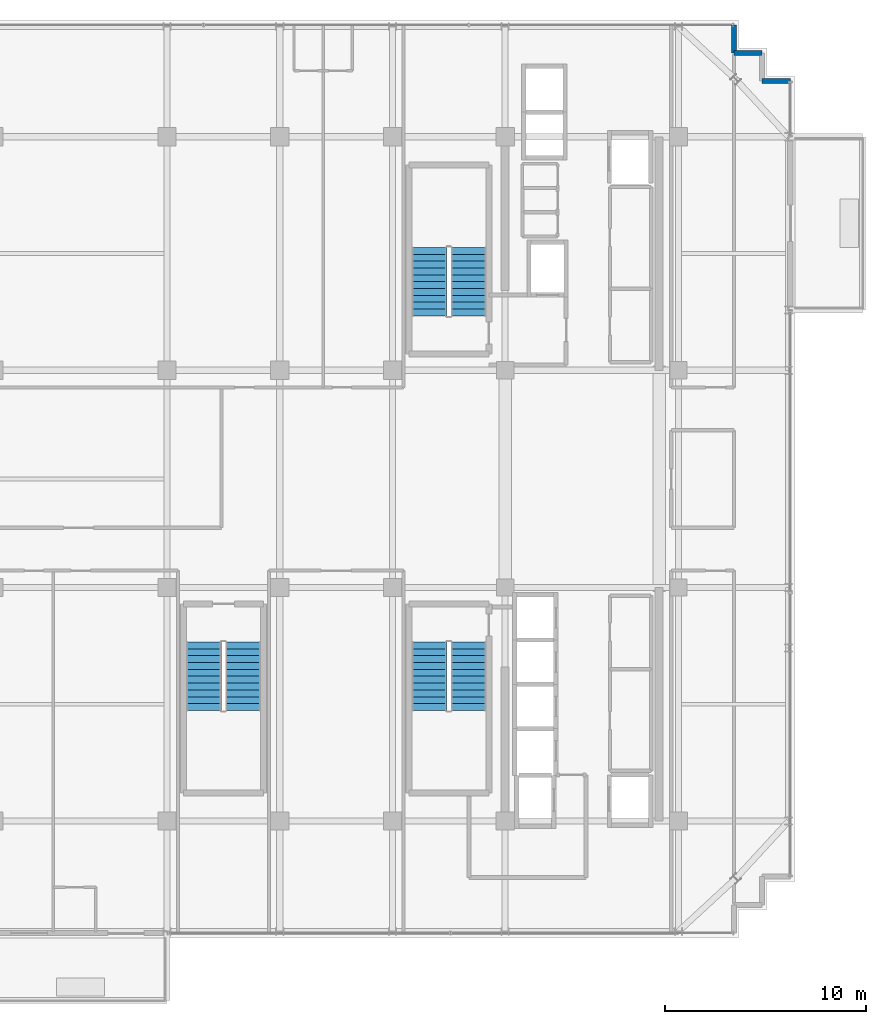
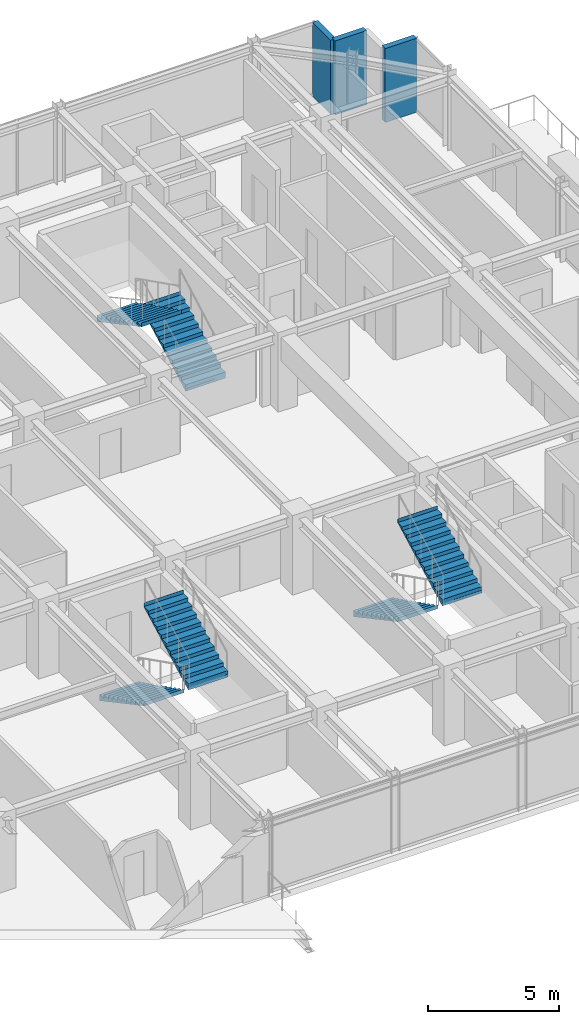
# One storey, part 30 of 33: 6 stair flights, 3 walls, 3 elements without a shape of their own.
"""IFC4 building model written with IfcOpenShell, lengths in metres."""

from ifc_helpers import new_model, si_unit, direction, frame, frame_2d, origin, place, context, subcontext, project, spatial, polyline, rectangle, outline, extrude, source, transform, mapped, material, layer, layer_set, type_object, element, aggregate, save


model = new_model("IFC4")

# Units and contexts
model_context = context("Model", 3, precision=1e-05, world=origin(), true_north=direction((0.0, 1.0)))
body_context = subcontext(model_context, "Body", "Model", "MODEL_VIEW")
ifc_project = project(units=[si_unit("LENGTHUNIT", "METRE"), si_unit("AREAUNIT", "SQUARE_METRE"), si_unit("VOLUMEUNIT", "CUBIC_METRE"), si_unit("PLANEANGLEUNIT", "RADIAN"), si_unit("MASSUNIT", "GRAM", prefix="KILO")], contexts=[model_context])

# Site, building, storey
site_placement = place(None, origin())
site = spatial("IfcSite", under=ifc_project, at=site_placement, CompositionType="ELEMENT")
building_placement = place(site_placement, origin())
building = spatial("IfcBuilding", under=site, at=building_placement, Name="Nahalor Promenade Grand Hotel", CompositionType="ELEMENT")
storey_placement = place(building_placement, frame((0.0, 0.0, 270.050048828125)))
storey = spatial("IfcBuildingStorey", under=building, at=storey_placement, Name="L69", CompositionType="ELEMENT", Elevation=270.050048828125)

# Walls
ifc_material_1 = material(Name="Concrete B-40 (C32/40)", Category="concrete")
ifc_layer_1 = layer(ifc_material_1, 0.25)
ifc_layer_set_1 = layer_set([ifc_layer_1], Name="Concrete B-40 (C32/40)")
wall_type = type_object("IfcWallType", Name="Wall-BronzePier-250", PredefinedType="STANDARD", material=ifc_layer_set_1)
shared_shape_1 = source(origin(), body_context, "Body", "SweptSolid", [
    extrude(rectangle(XDim=1.400146484375, YDim=0.25, at=frame_2d((0.7001953125, 0.0))), origin(), (0.0, 0.0, 1.0), 3.449951171875),
])
for number, where, z_axis, x_axis, name in (
    (1, (21.159912109375, 19.760009765625, 0.0), (0.0, 0.0, 1.0), (1.0, 0.0, 0.0), "W-L69-SR-05"),
    (2, (19.760009765625, 21.159912109375, 0.0), (0.0, 0.0, 1.0), (0.0, 1.0, 0.0), "W-L69-SR-08"),
):
    element("IfcWall", number, at=place(storey_placement, frame(where, z_axis=z_axis, x_axis=x_axis)), inside=storey, type_object=wall_type, Name=name, PredefinedType="STANDARD", context=body_context, shape_type="MappedRepresentation", body=[
        mapped(shared_shape_1, transform((0.0, 0.0, 0.0), scale=1.0)),
    ])
shared_shape_2 = source(origin(), body_context, "Body", "SweptSolid", [
    extrude(rectangle(XDim=1.39990234375, YDim=0.25, at=frame_2d((0.699951171875, 0.0))), origin(), (0.0, 0.0, 1.0), 3.449951171875),
])
wall_placement = place(storey_placement, frame((19.760009765625, 21.159912109375, 0.0), z_axis=(0.0, 0.0, 1.0), x_axis=(1.0, 0.0, 0.0)))
element("IfcWall", 3, at=wall_placement, inside=storey, type_object=wall_type, Name="W-L69-SR-07", PredefinedType="STANDARD", context=body_context, shape_type="MappedRepresentation", body=[
    mapped(shared_shape_2, transform((0.0, 0.0, 0.0), scale=1.0)),
])

# Stair, stair flights
ifc_material_2 = material(Name="Concrete B-50 (C40/50)", Category="concrete")
stair_type_1 = type_object("IfcStairType", Name="Stair-ST1", PredefinedType="HALF_TURN_STAIR", material=ifc_material_2)
stair_1_placement = place(storey_placement, origin())
stair_1 = element("IfcStair", 4, at=stair_1_placement, inside=storey, type_object=stair_type_1, Name="L69 ST1", PredefinedType="HALF_TURN_STAIR")
ifc_layer_2 = layer(ifc_material_2, 0.179931640625)
ifc_layer_set_2 = layer_set([ifc_layer_2], Name="Concrete B-50 (C40/50)")
stair_flight_type_1 = type_object("IfcStairFlightType", Name="Flight-ST1", PredefinedType="STRAIGHT", material=ifc_layer_set_2)
shared_shape_3 = source(origin(), body_context, "Body", "SweptSolid", [
    extrude(outline(polyline([(-0.00390625, -0.1201171875), (-0.00390625, 0.0), (0.0, 0.0), (0.0, 0.17041015625), (0.340087890625, 0.17041015625), (0.340087890625, 0.3408203125), (0.679931640625, 0.3408203125), (0.679931640625, 0.511474609375), (1.02001953125, 0.511474609375), (1.02001953125, 0.681884765625), (1.360107421875, 0.681884765625), (1.360107421875, 0.852294921875), (1.699951171875, 0.852294921875), (1.699951171875, 1.022705078125), (2.0400390625, 1.022705078125), (2.0400390625, 1.193115234375), (2.3798828125, 1.193115234375), (2.3798828125, 1.363525390625), (2.719970703125, 1.363525390625), (2.719970703125, 1.5341796875), (3.06005859375, 1.5341796875), (3.06005859375, 1.70458984375), (3.39990234375, 1.70458984375), (3.39990234375, 1.875), (3.404052734375, 1.875), (3.404052734375, 1.695068359375), (0.02001953125, -0.1201171875), (-0.00390625, -0.1201171875)])), frame((0.0, 0.875, 0.0), z_axis=(0.0, -1.0, 0.0), x_axis=(1.0, 0.0, 0.0)), (0.0, 0.0, 1.0), 1.75),
])
stair_flight_1_placement = place(storey_placement, frame((6.574951171875, 8.10009765625, 0.0), z_axis=(0.0, 0.0, 1.0), x_axis=(0.0, 1.0, 0.0)))
stair_flight_1 = element("IfcStairFlight", 5, at=stair_flight_1_placement, type_object=stair_flight_type_1, Name="ST1 flight 1", NumberOfRisers=11, NumberOfTreads=10, PredefinedType="STRAIGHT", RiserHeight=0.170454545, TreadLength=0.34, context=body_context, shape_type="MappedRepresentation", body=[
    mapped(shared_shape_3, transform((0.0, 0.0, 0.0), scale=1.0)),
])
stair_flight_2_placement = place(storey_placement, frame((4.625, 11.5, 1.875), z_axis=(0.0, 0.0, 1.0), x_axis=(0.0, -1.0, 0.0)))
stair_flight_2 = element("IfcStairFlight", 6, at=stair_flight_2_placement, type_object=stair_flight_type_1, Name="ST1 flight 2", NumberOfRisers=11, NumberOfTreads=10, PredefinedType="STRAIGHT", RiserHeight=0.170454545, TreadLength=0.34, context=body_context, shape_type="MappedRepresentation", body=[
    mapped(shared_shape_3, transform((0.0, 0.0, 0.0), scale=1.0)),
])
aggregate(stair_1, [stair_flight_1, stair_flight_2])

stair_type_2 = type_object("IfcStairType", Name="Stair-ST2", PredefinedType="HALF_TURN_STAIR", material=ifc_material_2)
stair_2_placement = place(storey_placement, origin())
stair_2 = element("IfcStair", 7, at=stair_2_placement, inside=storey, type_object=stair_type_2, Name="L69 ST2", PredefinedType="HALF_TURN_STAIR")
ifc_layer_3 = layer(ifc_material_2, 0.18994140625)
ifc_layer_set_3 = layer_set([ifc_layer_3], Name="Concrete B-50 (C40/50)")
stair_flight_type_2 = type_object("IfcStairFlightType", Name="Flight-ST2", PredefinedType="STRAIGHT", material=ifc_layer_set_3)
shared_shape_4 = source(origin(), body_context, "Body", "SweptSolid", [
    extrude(outline(polyline([(-0.00390625, -0.1201171875), (-0.00390625, 0.0), (0.0, 0.0), (0.0, 0.17041015625), (0.340087890625, 0.17041015625), (0.340087890625, 0.3408203125), (0.679931640625, 0.3408203125), (0.679931640625, 0.511474609375), (1.02001953125, 0.511474609375), (1.02001953125, 0.681884765625), (1.360107421875, 0.681884765625), (1.360107421875, 0.852294921875), (1.699951171875, 0.852294921875), (1.699951171875, 1.022705078125), (2.0400390625, 1.022705078125), (2.0400390625, 1.193115234375), (2.3798828125, 1.193115234375), (2.3798828125, 1.363525390625), (2.719970703125, 1.363525390625), (2.719970703125, 1.5341796875), (3.06005859375, 1.5341796875), (3.06005859375, 1.70458984375), (3.39990234375, 1.70458984375), (3.39990234375, 1.875), (3.404052734375, 1.875), (3.404052734375, 1.695068359375), (0.02001953125, -0.1201171875), (-0.00390625, -0.1201171875)])), frame((0.0, 0.875, 0.0), z_axis=(0.0, -1.0, 0.0), x_axis=(1.0, 0.0, 0.0)), (0.0, 0.0, 1.0), 1.75),
])
stair_flight_3_placement = place(storey_placement, frame((4.625, -8.10009765625, 0.0), z_axis=(0.0, 0.0, 1.0), x_axis=(0.0, -1.0, 0.0)))
stair_flight_3 = element("IfcStairFlight", 8, at=stair_flight_3_placement, type_object=stair_flight_type_2, Name="ST2 flight 1", NumberOfRisers=11, NumberOfTreads=10, PredefinedType="STRAIGHT", RiserHeight=0.170454545, TreadLength=0.34, context=body_context, shape_type="MappedRepresentation", body=[
    mapped(shared_shape_4, transform((0.0, 0.0, 0.0), scale=1.0)),
])
stair_flight_4_placement = place(storey_placement, frame((6.574951171875, -11.5, 1.875), z_axis=(0.0, 0.0, 1.0), x_axis=(0.0, 1.0, 0.0)))
stair_flight_4 = element("IfcStairFlight", 9, at=stair_flight_4_placement, type_object=stair_flight_type_2, Name="ST2 flight 2", NumberOfRisers=11, NumberOfTreads=10, PredefinedType="STRAIGHT", RiserHeight=0.170454545, TreadLength=0.34, context=body_context, shape_type="MappedRepresentation", body=[
    mapped(shared_shape_4, transform((0.0, 0.0, 0.0), scale=1.0)),
])
aggregate(stair_2, [stair_flight_3, stair_flight_4])

stair_type_3 = type_object("IfcStairType", Name="Stair-ST3", PredefinedType="HALF_TURN_STAIR", material=ifc_material_2)
stair_3_placement = place(storey_placement, origin())
stair_3 = element("IfcStair", 10, at=stair_3_placement, inside=storey, type_object=stair_type_3, Name="L69 ST3", PredefinedType="HALF_TURN_STAIR")
ifc_layer_4 = layer(ifc_material_2, 0.199951171875)
ifc_layer_set_4 = layer_set([ifc_layer_4], Name="Concrete B-50 (C40/50)")
stair_flight_type_3 = type_object("IfcStairFlightType", Name="Flight-ST3", PredefinedType="STRAIGHT", material=ifc_layer_set_4)
shared_shape_5 = source(origin(), body_context, "Body", "SweptSolid", [
    extrude(outline(polyline([(-0.00390625, -0.1201171875), (-0.00390625, 0.0), (0.0, 0.0), (0.0, 0.17041015625), (0.340087890625, 0.17041015625), (0.340087890625, 0.3408203125), (0.679931640625, 0.3408203125), (0.679931640625, 0.511474609375), (1.02001953125, 0.511474609375), (1.02001953125, 0.681884765625), (1.360107421875, 0.681884765625), (1.360107421875, 0.852294921875), (1.699951171875, 0.852294921875), (1.699951171875, 1.022705078125), (2.0400390625, 1.022705078125), (2.0400390625, 1.193115234375), (2.3798828125, 1.193115234375), (2.3798828125, 1.363525390625), (2.719970703125, 1.363525390625), (2.719970703125, 1.5341796875), (3.06005859375, 1.5341796875), (3.06005859375, 1.70458984375), (3.39990234375, 1.70458984375), (3.39990234375, 1.875), (3.404052734375, 1.875), (3.404052734375, 1.695068359375), (0.02001953125, -0.1201171875), (-0.00390625, -0.1201171875)])), frame((0.0, 0.875, 0.0), z_axis=(0.0, -1.0, 0.0), x_axis=(1.0, 0.0, 0.0)), (0.0, 0.0, 1.0), 1.75),
])
stair_flight_5_placement = place(storey_placement, frame((-6.574951171875, -8.10009765625, 0.0), z_axis=(0.0, 0.0, 1.0), x_axis=(0.0, -1.0, 0.0)))
stair_flight_5 = element("IfcStairFlight", 11, at=stair_flight_5_placement, type_object=stair_flight_type_3, Name="ST3 flight 1", NumberOfRisers=11, NumberOfTreads=10, PredefinedType="STRAIGHT", RiserHeight=0.170454545, TreadLength=0.34, context=body_context, shape_type="MappedRepresentation", body=[
    mapped(shared_shape_5, transform((0.0, 0.0, 0.0), scale=1.0)),
])
stair_flight_6_placement = place(storey_placement, frame((-4.625, -11.5, 1.875), z_axis=(0.0, 0.0, 1.0), x_axis=(0.0, 1.0, 0.0)))
stair_flight_6 = element("IfcStairFlight", 12, at=stair_flight_6_placement, type_object=stair_flight_type_3, Name="ST3 flight 2", NumberOfRisers=11, NumberOfTreads=10, PredefinedType="STRAIGHT", RiserHeight=0.170454545, TreadLength=0.34, context=body_context, shape_type="MappedRepresentation", body=[
    mapped(shared_shape_5, transform((0.0, 0.0, 0.0), scale=1.0)),
])
aggregate(stair_3, [stair_flight_5, stair_flight_6])

save(model, "model.ifc")
